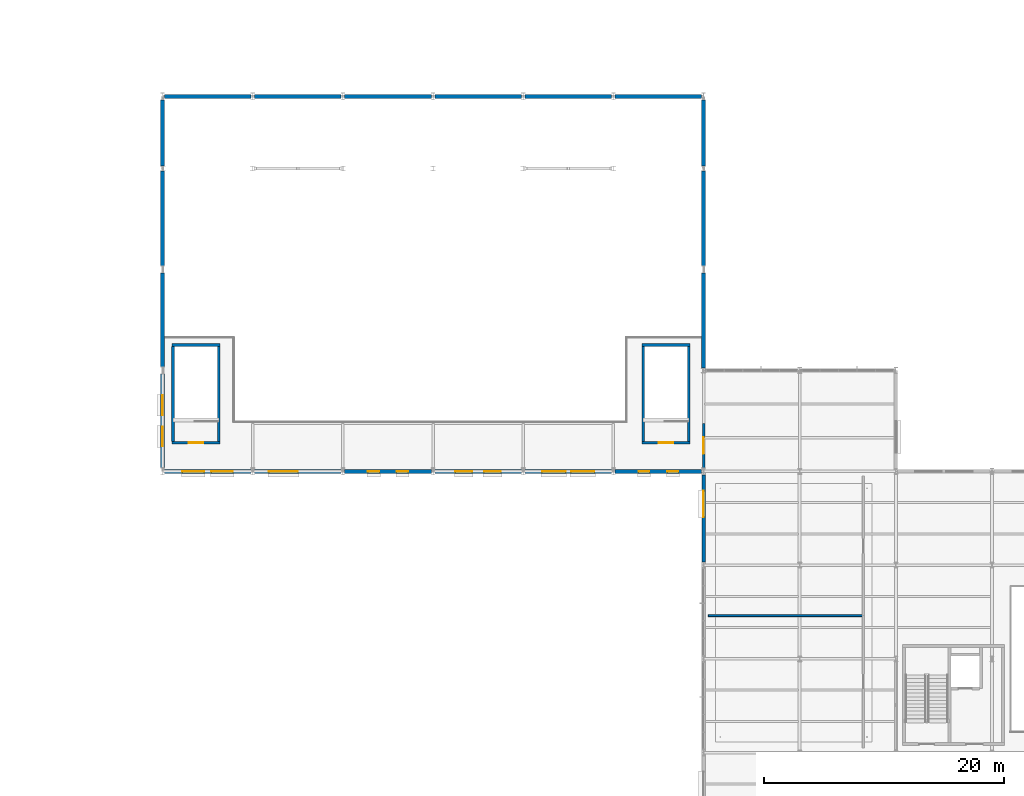
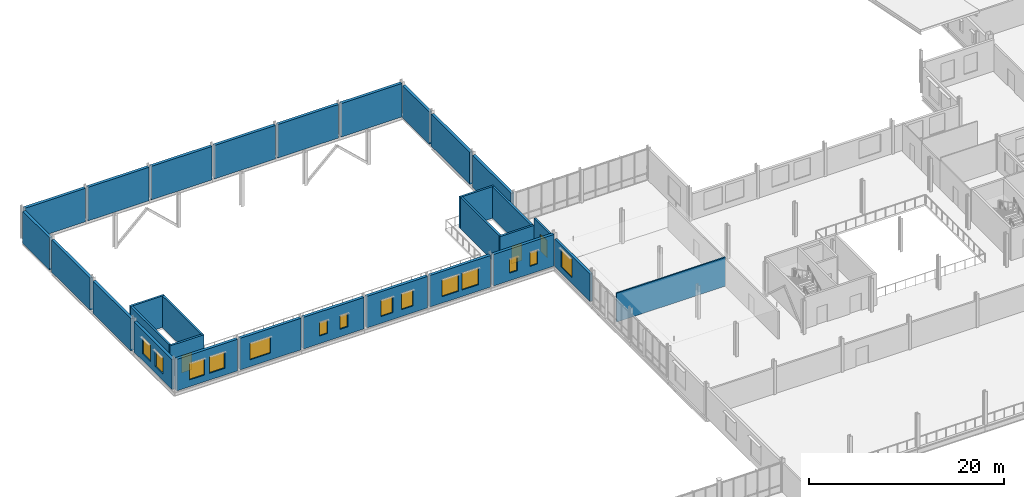
# One storey, part 62 of 75: 30 walls, 14 windows, 3 doors, 17 openings.
"""IFC4 building model written with IfcOpenShell, lengths in metres."""

import ifcopenshell
import ifcopenshell.guid

model = None  # the IFC model being written
_history = None  # IfcOwnerHistory: only IFC2X3 demands one
_inside = {}  # id of a spatial element -> (the spatial element, [elements in it])
_under = {}  # id of a project, library or spatial element -> (it, [spatial elements below it])
_declared = {}  # id of a project -> (the project, [libraries it declares])
_typed = {}  # id of a type object -> (the type object, [elements of that type])
_made_of = {}  # id of a material, layer set ... -> (it, [elements and type objects made of it])


def new_model(schema):
    """Start an empty IFC model of exactly this schema.

    Asked for "IFC4X3", IfcOpenShell would pick the latest addendum, in which some entities
    have other attributes; the version numbers below select the first issue.
    IFC2X3 requires an IfcOwnerHistory on every rooted entity: one is made here for all.
    """
    global model, _history
    if schema == "IFC4X3":
        model = ifcopenshell.file(schema_version=(4, 3, 0, 0))
    else:
        model = ifcopenshell.file(schema=schema)
    _inside.clear()
    _under.clear()
    _declared.clear()
    _typed.clear()
    _made_of.clear()
    _history = None
    if model.schema == "IFC2X3":
        org = make("IfcOrganization", Name="unknown")
        user = make(
            "IfcPersonAndOrganization",
            ThePerson=make("IfcPerson", FamilyName="unknown"),
            TheOrganization=org,
        )
        app = make(
            "IfcApplication",
            ApplicationDeveloper=org,
            Version="unknown",
            ApplicationFullName="unknown",
            ApplicationIdentifier="unknown",
        )
        _history = make(
            "IfcOwnerHistory",
            OwningUser=user,
            OwningApplication=app,
            ChangeAction="ADDED",
            CreationDate=0,
        )
    return model


def make(cls, **values):
    """One entity of the class cls with the attributes given. An attribute that is None is left unset."""
    return model.create_entity(
        cls, **{name: value for name, value in values.items() if value is not None}
    )


def rooted(cls, **values):
    """An entity with a GlobalId (a new one), such as an element, a storey or a relation."""
    return make(cls, GlobalId=ifcopenshell.guid.new(), OwnerHistory=_history, **values)


def si_unit(unit_type, name, prefix=None):
    """IfcSIUnit, for example si_unit("LENGTHUNIT", "METRE", prefix="MILLI")."""
    return make("IfcSIUnit", UnitType=unit_type, Prefix=prefix, Name=name)


def assignment(units):
    """IfcUnitAssignment: the units of a project."""
    return None if units is None else make("IfcUnitAssignment", Units=units)


def point(xyz):
    """IfcCartesianPoint."""
    return None if xyz is None else make("IfcCartesianPoint", Coordinates=xyz)


def direction(xyz):
    """IfcDirection."""
    return None if xyz is None else make("IfcDirection", DirectionRatios=xyz)


def frame(location, z_axis=None, x_axis=None):
    """IfcAxis2Placement3D, a coordinate frame: its origin and axes. An axis left out is left unset."""
    return make(
        "IfcAxis2Placement3D",
        Location=point(location),
        Axis=direction(z_axis),
        RefDirection=direction(x_axis),
    )


def frame_2d(location, x_axis=None):
    """IfcAxis2Placement2D, a coordinate frame in the plane: its origin and x axis."""
    return make(
        "IfcAxis2Placement2D", Location=point(location), RefDirection=direction(x_axis)
    )


def origin():
    """The frame at (0, 0, 0) with its axes left unset."""
    return frame((0.0, 0.0, 0.0))


def place(relative_to, where):
    """IfcLocalPlacement: puts the frame where relative to a parent placement (None: the world)."""
    return make(
        "IfcLocalPlacement", PlacementRelTo=relative_to, RelativePlacement=where
    )


def context(
    kind, dimensions, precision=None, world=None, true_north=None, identifier=None
):
    """IfcGeometricRepresentationContext, for example the 3D "Model" context."""
    return make(
        "IfcGeometricRepresentationContext",
        ContextIdentifier=identifier,
        ContextType=kind,
        CoordinateSpaceDimension=dimensions,
        Precision=precision,
        WorldCoordinateSystem=world,
        TrueNorth=true_north,
    )


def subcontext(parent, identifier, kind, view, scale=None):
    """IfcGeometricRepresentationSubContext, for example "Body" below "Model"."""
    return make(
        "IfcGeometricRepresentationSubContext",
        ContextIdentifier=identifier,
        ContextType=kind,
        ParentContext=parent,
        TargetScale=scale,
        TargetView=view,
    )


def project(units=None, contexts=None):
    """IfcProject with its units and contexts."""
    return rooted(
        "IfcProject",
        Name="project",
        RepresentationContexts=contexts,
        UnitsInContext=assignment(units),
    )


def spatial(cls, under=None, at=None, **own):
    """A site, building, storey or space (cls), placed at a placement, below another one or the project."""
    s = rooted(cls, ObjectPlacement=at, **own)
    if under is not None:
        _under.setdefault(under.id(), (under, []))[1].append(s)
    return s


def profile(cls, at=None, kind="AREA", **sizes):
    """A parametric profile (cls). Its sizes go by their IFC names, for example OverallWidth=200.0."""
    return make(cls, ProfileType=kind, Position=at, **sizes)


def rectangle(**sizes):
    """IfcRectangleProfileDef."""
    return profile("IfcRectangleProfileDef", **sizes)


def extrude(swept, where, along, depth):
    """IfcExtrudedAreaSolid: the profile swept, set in the frame where, extruded along a direction by depth."""
    return make(
        "IfcExtrudedAreaSolid",
        SweptArea=swept,
        Position=where,
        ExtrudedDirection=direction(along),
        Depth=depth,
    )


def shape(context_of_items, identifier, shape_type, items):
    """IfcShapeRepresentation: the items that make up one representation, for example the "Body"."""
    return make(
        "IfcShapeRepresentation",
        ContextOfItems=context_of_items,
        RepresentationIdentifier=identifier,
        RepresentationType=shape_type,
        Items=items,
    )


def material(Name=None, Category=None):
    """IfcMaterial."""
    return make("IfcMaterial", Name=Name, Category=Category)


def layer(
    of_material, thickness, ventilated=None, Name=None, Category=None, Priority=None
):
    """IfcMaterialLayer: one layer of a wall or slab, of a material (None: an air gap)."""
    return make(
        "IfcMaterialLayer",
        Material=of_material,
        LayerThickness=thickness,
        IsVentilated=ventilated,
        Name=Name,
        Category=Category,
        Priority=Priority,
    )


def layer_set(layers, Name=None):
    """IfcMaterialLayerSet."""
    return make("IfcMaterialLayerSet", MaterialLayers=layers, LayerSetName=Name)


def made_of(thing, what):
    """Note that an element or type object is made of a material, layer set ...; save() writes the relation."""
    if what is not None:
        _made_of.setdefault(what.id(), (what, []))[1].append(thing)
    return thing


def type_object(cls, material=None, **own):
    """A type object (cls), such as IfcWallType, which elements share."""
    return made_of(rooted(cls, **own), material)


def element(
    cls,
    number,
    at=None,
    inside=None,
    cuts=None,
    type_object=None,
    material=None,
    context=None,
    identifier="Body",
    shape_type=None,
    held_by="IfcProductDefinitionShape",
    body=None,
    shapes=None,
    **own,
):
    """One element of the class cls, such as IfcWall. Its Tag is "e" and its number.

    at: its placement. inside: the storey or other place that contains it. cuts: it is an
    opening in that element (IfcRelVoidsElement). A single representation is given by context,
    identifier, shape_type and body (its items); several are given by shapes. held_by: the class
    of the entity that holds the representations. save() writes the other relations.
    """
    e = rooted(cls, Tag="e%d" % number, ObjectPlacement=at, **own)
    if body is not None:
        shapes = [shape(context, identifier, shape_type, body)]
    if shapes is not None:
        e.Representation = make(held_by, Representations=shapes)
    if inside is not None:
        _inside.setdefault(inside.id(), (inside, []))[1].append(e)
    if cuts is not None:
        rooted(
            "IfcRelVoidsElement", RelatingBuildingElement=cuts, RelatedOpeningElement=e
        )
    if type_object is not None:
        _typed.setdefault(type_object.id(), (type_object, []))[1].append(e)
    return made_of(e, material)


def fill(opening, filler):
    """IfcRelFillsElement: the door or window that sits in an opening."""
    return rooted(
        "IfcRelFillsElement",
        RelatingOpeningElement=opening,
        RelatedBuildingElement=filler,
    )


def aggregate(whole, parts):
    """IfcRelAggregates: a whole, such as a stair, and the parts it consists of."""
    return rooted("IfcRelAggregates", RelatingObject=whole, RelatedObjects=parts)


def save(model, path):
    """Write the relations noted so far, then the file.

    IfcRelAggregates (storeys below a building ...), IfcRelContainedInSpatialStructure (elements
    in a storey), IfcRelDefinesByType, IfcRelAssociatesMaterial and IfcRelDeclares: one each for
    every whole, place, type object, material and project.
    """
    for whole, parts in _under.values():
        aggregate(whole, parts)
    for where, things in _inside.values():
        rooted(
            "IfcRelContainedInSpatialStructure",
            RelatedElements=things,
            RelatingStructure=where,
        )
    for kind, things in _typed.values():
        rooted("IfcRelDefinesByType", RelatedObjects=things, RelatingType=kind)
    for what, things in _made_of.values():
        rooted("IfcRelAssociatesMaterial", RelatedObjects=things, RelatingMaterial=what)
    for by, libraries in _declared.values():
        rooted("IfcRelDeclares", RelatingContext=by, RelatedDefinitions=libraries)
    model.write(path)


model = new_model("IFC4")

# Units and contexts
model_context = context("Model", 3, precision=1e-05, world=origin(), true_north=direction((0.0, 1.0)))
body_context = subcontext(model_context, "Body", "Model", "MODEL_VIEW")
ifc_project = project(units=[si_unit("LENGTHUNIT", "METRE"), si_unit("AREAUNIT", "SQUARE_METRE"), si_unit("VOLUMEUNIT", "CUBIC_METRE"), si_unit("PLANEANGLEUNIT", "RADIAN"), si_unit("MASSUNIT", "GRAM", prefix="KILO")], contexts=[model_context])

# Site, building, storey
site_placement = place(None, origin())
site = spatial("IfcSite", under=ifc_project, at=site_placement, CompositionType="ELEMENT")
building_placement = place(site_placement, origin())
building = spatial("IfcBuilding", under=site, at=building_placement, Name="Yukiwa Park Conservatory and Herbarium", CompositionType="ELEMENT")
storey_placement = place(building_placement, frame((0.0, 0.0, 4.800048828125)))
storey = spatial("IfcBuildingStorey", under=building, at=storey_placement, Name="L01", CompositionType="ELEMENT", Elevation=4.800048828125)

# Wall, opening, door
ifc_material_1 = material(Name="Concrete C50", Category="concrete")
ifc_layer_1 = layer(ifc_material_1, 0.239990234375)
ifc_layer_set_1 = layer_set([ifc_layer_1], Name="Concrete C50")
wall_type_1 = type_object("IfcWallType", Name="WL-CORE-RC240", PredefinedType="SHEAR", material=ifc_layer_set_1)
wall_1_placement = place(storey_placement, frame((15.760009765625, 80.3798828125, 0.0), z_axis=(0.0, 0.0, 1.0), x_axis=(1.0, 0.0, 0.0)))
wall_1 = element("IfcWall", 1, at=wall_1_placement, inside=storey, type_object=wall_type_1, Name="L01 core shear wall 211", PredefinedType="SHEAR", context=body_context, shape_type="SweptSolid", body=[
    extrude(rectangle(XDim=4.030029296875, YDim=0.239990234375, at=frame_2d((2.01513671875, 0.0))), origin(), (0.0, 0.0, 1.0), 3.954833984375),
])
opening_1_placement = place(wall_1_placement, frame((1.4150390625, 0.0, 0.0)))
opening_1 = element("IfcOpeningElement", 2, at=opening_1_placement, cuts=wall_1, Name="Opening SD-01", PredefinedType="OPENING", context=body_context, shape_type="SweptSolid", body=[
    extrude(rectangle(XDim=1.219970703125, YDim=2.179931640625, at=frame_2d((0.60986328125, 1.08984375))), frame((0.0, 0.1298828125, 0.0), z_axis=(0.0, -1.0, 0.0), x_axis=(1.0, 0.0, 0.0)), (0.0, 0.0, 1.0), 0.260009765625),
])
ifc_material_2 = material(Name="Steel Q235B", Category="steel")
door_type_1 = type_object("IfcDoorType", Name="DR-STAIR-FD90-1200", OperationType="SINGLE_SWING_LEFT", PredefinedType="DOOR", material=ifc_material_2)
door_1_placement = place(opening_1_placement, origin())
door_1 = element("IfcDoor", 3, at=door_1_placement, inside=storey, type_object=door_type_1, Name="L01 Stairwell ST-A1 fire door", OperationType="SINGLE_SWING_LEFT", OverallHeight=2.179931640625, OverallWidth=1.219970703125, PredefinedType="DOOR", context=body_context, shape_type="SweptSolid", body=[
    extrude(rectangle(XDim=1.219970703125, YDim=2.179931640625, at=frame_2d((0.60986328125, 1.08984375))), frame((0.0, 0.02490234375, 0.0), z_axis=(0.0, -1.0, 0.0), x_axis=(1.0, 0.0, 0.0)), (0.0, 0.0, 1.0), 0.050048828125),
])
fill(opening_1, door_1)

# Walls
wall_2_placement = place(storey_placement, frame((15.760009765625, 88.52001953125, 0.0), z_axis=(0.0, 0.0, 1.0), x_axis=(1.0, 0.0, 0.0)))
element("IfcWall", 4, at=wall_2_placement, inside=storey, type_object=wall_type_1, Name="L01 core shear wall 212", PredefinedType="SHEAR", context=body_context, shape_type="SweptSolid", body=[
    extrude(rectangle(XDim=4.030029296875, YDim=0.239990234375, at=frame_2d((2.01513671875, 0.0))), origin(), (0.0, 0.0, 1.0), 3.954833984375),
])
for number, where, z_axis, x_axis, name in (
    (5, (15.8798828125, 80.5, 0.0), (0.0, 0.0, 1.0), (0.0, 1.0, 0.0), "L01 core shear wall 213"),
    (6, (19.669921875, 80.5, 0.0), (0.0, 0.0, 1.0), (0.0, 1.0, 0.0), "L01 core shear wall 214"),
):
    element("IfcWall", number, at=place(storey_placement, frame(where, z_axis=z_axis, x_axis=x_axis)), inside=storey, type_object=wall_type_1, Name=name, PredefinedType="SHEAR", context=body_context, shape_type="SweptSolid", body=[
        extrude(rectangle(XDim=7.89990234375, YDim=0.239990234375, at=frame_2d((3.949951171875, 0.0))), origin(), (0.0, 0.0, 1.0), 3.954833984375),
    ])

# Wall, opening, door
wall_3_placement = place(storey_placement, frame((54.860107421875, 80.3798828125, 0.0), z_axis=(0.0, 0.0, 1.0), x_axis=(1.0, 0.0, 0.0)))
wall_3 = element("IfcWall", 7, at=wall_3_placement, inside=storey, type_object=wall_type_1, Name="L01 core shear wall 215", PredefinedType="SHEAR", context=body_context, shape_type="SweptSolid", body=[
    extrude(rectangle(XDim=4.02978515625, YDim=0.239990234375, at=frame_2d((2.014892578125, 0.0))), origin(), (0.0, 0.0, 1.0), 3.954833984375),
])
opening_2_placement = place(wall_3_placement, frame((1.4150390625, 0.0, 0.0)))
opening_2 = element("IfcOpeningElement", 8, at=opening_2_placement, cuts=wall_3, Name="Opening SD-01", PredefinedType="OPENING", context=body_context, shape_type="SweptSolid", body=[
    extrude(rectangle(XDim=1.219970703125, YDim=2.179931640625, at=frame_2d((0.60986328125, 1.08984375))), frame((0.0, 0.1298828125, 0.0), z_axis=(0.0, -1.0, 0.0), x_axis=(1.0, 0.0, 0.0)), (0.0, 0.0, 1.0), 0.260009765625),
])
door_2_placement = place(opening_2_placement, origin())
door_2 = element("IfcDoor", 9, at=door_2_placement, inside=storey, type_object=door_type_1, Name="L01 Stairwell ST-A2 fire door", OperationType="SINGLE_SWING_LEFT", OverallHeight=2.179931640625, OverallWidth=1.219970703125, PredefinedType="DOOR", context=body_context, shape_type="SweptSolid", body=[
    extrude(rectangle(XDim=1.219970703125, YDim=2.179931640625, at=frame_2d((0.60986328125, 1.08984375))), frame((0.0, 0.02490234375, 0.0), z_axis=(0.0, -1.0, 0.0), x_axis=(1.0, 0.0, 0.0)), (0.0, 0.0, 1.0), 0.050048828125),
])
fill(opening_2, door_2)

# Walls
wall_4_placement = place(storey_placement, frame((54.860107421875, 88.52001953125, 0.0), z_axis=(0.0, 0.0, 1.0), x_axis=(1.0, 0.0, 0.0)))
element("IfcWall", 10, at=wall_4_placement, inside=storey, type_object=wall_type_1, Name="L01 core shear wall 216", PredefinedType="SHEAR", context=body_context, shape_type="SweptSolid", body=[
    extrude(rectangle(XDim=4.02978515625, YDim=0.239990234375, at=frame_2d((2.014892578125, 0.0))), origin(), (0.0, 0.0, 1.0), 3.954833984375),
])
for number, where, z_axis, x_axis, name in (
    (11, (54.97998046875, 80.5, 0.0), (0.0, 0.0, 1.0), (0.0, 1.0, 0.0), "L01 core shear wall 217"),
    (12, (58.77001953125, 80.5, 0.0), (0.0, 0.0, 1.0), (0.0, 1.0, 0.0), "L01 core shear wall 218"),
):
    element("IfcWall", number, at=place(storey_placement, frame(where, z_axis=z_axis, x_axis=x_axis)), inside=storey, type_object=wall_type_1, Name=name, PredefinedType="SHEAR", context=body_context, shape_type="SweptSolid", body=[
        extrude(rectangle(XDim=7.89990234375, YDim=0.239990234375, at=frame_2d((3.949951171875, 0.0))), origin(), (0.0, 0.0, 1.0), 3.954833984375),
    ])
ifc_material_3 = material(Name="Pale Granite Cladding", Category="masonry")
ifc_layer_2 = layer(ifc_material_3, 0.340087890625)
ifc_layer_set_2 = layer_set([ifc_layer_2], Name="Pale Granite Cladding")
wall_type_2 = type_object("IfcWallType", Name="WL-EXT-AUD-340", PredefinedType="SOLIDWALL", material=ifc_layer_set_2)
for number, where, z_axis, x_axis, name in (
    (13, (60.0, 86.60009765625, -0.2451171875), (0.0, 0.0, 1.0), (0.0, 1.0, 0.0), "L01 exterior envelope wall 185"),
    (14, (60.0, 95.093994140625, -0.2451171875), (0.0, 0.0, 1.0), (0.0, 1.0, 0.0), "L01 exterior envelope wall 186"),
):
    element("IfcWall", number, at=place(storey_placement, frame(where, z_axis=z_axis, x_axis=x_axis)), inside=storey, type_object=wall_type_2, Name=name, PredefinedType="SOLIDWALL", context=body_context, shape_type="SweptSolid", body=[
        extrude(rectangle(XDim=7.906005859375, YDim=0.340087890625, at=frame_2d((3.953125, 0.0))), origin(), (0.0, 0.0, 1.0), 4.025146484375),
    ])
wall_5_placement = place(storey_placement, frame((60.0, 103.39990234375, -0.2451171875), z_axis=(0.0, 0.0, 1.0), x_axis=(0.0, 1.0, 0.0)))
element("IfcWall", 15, at=wall_5_placement, inside=storey, type_object=wall_type_2, Name="L01 exterior envelope wall 187", PredefinedType="SOLIDWALL", context=body_context, shape_type="SweptSolid", body=[
    extrude(rectangle(XDim=5.506103515625, YDim=0.340087890625, at=frame_2d((2.7529296875, 0.0))), origin(), (0.0, 0.0, 1.0), 4.025146484375),
])
for number, where, z_axis, x_axis, name in (
    (16, (59.85009765625, 109.199951171875, -0.2451171875), (0.0, 0.0, 1.0), (-1.0, 0.0, 0.0), "L01 exterior envelope wall 188"),
    (17, (52.35009765625, 109.199951171875, -0.2451171875), (0.0, 0.0, 1.0), (-1.0, 0.0, 0.0), "L01 exterior envelope wall 189"),
    (18, (44.85009765625, 109.199951171875, -0.2451171875), (0.0, 0.0, 1.0), (-1.0, 0.0, 0.0), "L01 exterior envelope wall 190"),
    (19, (37.35009765625, 109.199951171875, -0.2451171875), (0.0, 0.0, 1.0), (-1.0, 0.0, 0.0), "L01 exterior envelope wall 191"),
    (20, (29.85009765625, 109.199951171875, -0.2451171875), (0.0, 0.0, 1.0), (-1.0, 0.0, 0.0), "L01 exterior envelope wall 192"),
    (21, (22.35009765625, 109.199951171875, -0.2451171875), (0.0, 0.0, 1.0), (-1.0, 0.0, 0.0), "L01 exterior envelope wall 193"),
):
    element("IfcWall", number, at=place(storey_placement, frame(where, z_axis=z_axis, x_axis=x_axis)), inside=storey, type_object=wall_type_2, Name=name, PredefinedType="SOLIDWALL", context=body_context, shape_type="SweptSolid", body=[
        extrude(rectangle(XDim=7.2001953125, YDim=0.340087890625, at=frame_2d((3.60009765625, 0.0))), origin(), (0.0, 0.0, 1.0), 4.199951171875),
    ])
wall_6_placement = place(storey_placement, frame((15.0, 108.906005859375, -0.2451171875), z_axis=(0.0, 0.0, 1.0), x_axis=(0.0, -1.0, 0.0)))
element("IfcWall", 22, at=wall_6_placement, inside=storey, type_object=wall_type_2, Name="L01 exterior envelope wall 194", PredefinedType="SOLIDWALL", context=body_context, shape_type="SweptSolid", body=[
    extrude(rectangle(XDim=5.506103515625, YDim=0.340087890625, at=frame_2d((2.7529296875, 0.0))), origin(), (0.0, 0.0, 1.0), 4.025146484375),
])
wall_7_placement = place(storey_placement, frame((15.0, 103.0, -0.2451171875), z_axis=(0.0, 0.0, 1.0), x_axis=(0.0, -1.0, 0.0)))
element("IfcWall", 23, at=wall_7_placement, inside=storey, type_object=wall_type_2, Name="L01 exterior envelope wall 195", PredefinedType="SOLIDWALL", context=body_context, shape_type="SweptSolid", body=[
    extrude(rectangle(XDim=7.906005859375, YDim=0.340087890625, at=frame_2d((3.953125, 0.0))), origin(), (0.0, 0.0, 1.0), 4.025146484375),
])
wall_8_placement = place(storey_placement, frame((15.0, 94.506103515625, -0.2451171875), z_axis=(0.0, 0.0, 1.0), x_axis=(0.0, -1.0, 0.0)))
element("IfcWall", 24, at=wall_8_placement, inside=storey, type_object=wall_type_2, Name="L01 exterior envelope wall 196", PredefinedType="SOLIDWALL", context=body_context, shape_type="SweptSolid", body=[
    extrude(rectangle(XDim=7.81201171875, YDim=0.340087890625, at=frame_2d((3.906005859375, 0.0))), origin(), (0.0, 0.0, 1.0), 4.025146484375),
])

# Wall, openings, windows
wall_9_placement = place(storey_placement, frame((15.0, 86.10595703125, 0.0), z_axis=(0.0, 0.0, 1.0), x_axis=(0.0, -1.0, 0.0)))
wall_9 = element("IfcWall", 25, at=wall_9_placement, inside=storey, type_object=wall_type_2, Name="L01 exterior envelope wall 197", PredefinedType="SOLIDWALL", context=body_context, shape_type="SweptSolid", body=[
    extrude(rectangle(XDim=7.81494140625, YDim=0.340087890625, at=frame_2d((3.907470703125, 0.0))), origin(), (0.0, 0.0, 1.0), 3.780029296875),
])
opening_3_placement = place(wall_9_placement, frame((1.780029296875, 0.0, 0.85009765625)))
opening_3 = element("IfcOpeningElement", 26, at=opening_3_placement, cuts=wall_9, Name="Opening W-06", PredefinedType="OPENING", context=body_context, shape_type="SweptSolid", body=[
    extrude(rectangle(XDim=1.64990234375, YDim=2.10009765625, at=frame_2d((0.824951171875, 1.050048828125))), frame((0.0, 0.18017578125, 0.0), z_axis=(0.0, -1.0, 0.0), x_axis=(1.0, 0.0, 0.0)), (0.0, 0.0, 1.0), 0.360107421875),
])
opening_4_placement = place(wall_9_placement, frame((4.385009765625, 0.0, 0.85009765625)))
opening_4 = element("IfcOpeningElement", 27, at=opening_4_placement, cuts=wall_9, Name="Opening W-06", PredefinedType="OPENING", context=body_context, shape_type="SweptSolid", body=[
    extrude(rectangle(XDim=1.64990234375, YDim=2.10009765625, at=frame_2d((0.824951171875, 1.050048828125))), frame((0.0, 0.18017578125, 0.0), z_axis=(0.0, -1.0, 0.0), x_axis=(1.0, 0.0, 0.0)), (0.0, 0.0, 1.0), 0.360107421875),
])
ifc_material_4 = material(Name="Triple Low-E Insulated Glass", Category="glass")
window_type_1 = type_object("IfcWindowType", Name="WN-TW-1650X2100", PartitioningType="SINGLE_PANEL", PredefinedType="WINDOW", material=ifc_material_4)
window_1_placement = place(opening_3_placement, origin())
window_1 = element("IfcWindow", 28, at=window_1_placement, inside=storey, type_object=window_type_1, Name="L01 deep-reveal triple-glazed window 102", OverallHeight=2.10009765625, OverallWidth=1.64990234375, PartitioningType="SINGLE_PANEL", PredefinedType="WINDOW", context=body_context, shape_type="SweptSolid", body=[
    extrude(rectangle(XDim=1.64990234375, YDim=2.10009765625, at=frame_2d((0.824951171875, 1.050048828125))), frame((0.0, 0.030029296875, 0.0), z_axis=(0.0, -1.0, 0.0), x_axis=(1.0, 0.0, 0.0)), (0.0, 0.0, 1.0), 0.06005859375),
])
fill(opening_3, window_1)
window_2_placement = place(opening_4_placement, origin())
window_2 = element("IfcWindow", 29, at=window_2_placement, inside=storey, type_object=window_type_1, Name="L01 deep-reveal triple-glazed window 103", OverallHeight=2.10009765625, OverallWidth=1.64990234375, PartitioningType="SINGLE_PANEL", PredefinedType="WINDOW", context=body_context, shape_type="SweptSolid", body=[
    extrude(rectangle(XDim=1.64990234375, YDim=2.10009765625, at=frame_2d((0.824951171875, 1.050048828125))), frame((0.0, 0.030029296875, 0.0), z_axis=(0.0, -1.0, 0.0), x_axis=(1.0, 0.0, 0.0)), (0.0, 0.0, 1.0), 0.06005859375),
])
fill(opening_4, window_2)

wall_10_placement = place(storey_placement, frame((15.14990234375, 78.0, 0.0), z_axis=(0.0, 0.0, 1.0), x_axis=(1.0, 0.0, 0.0)))
wall_10 = element("IfcWall", 30, at=wall_10_placement, inside=storey, type_object=wall_type_2, Name="L01 exterior envelope wall 198", PredefinedType="SOLIDWALL", context=body_context, shape_type="SweptSolid", body=[
    extrude(rectangle(XDim=7.2001953125, YDim=0.340087890625, at=frame_2d((3.60009765625, 0.0))), origin(), (0.0, 0.0, 1.0), 3.954833984375),
])
opening_5_placement = place(wall_10_placement, frame((1.5, 0.0, 0.85009765625)))
opening_5 = element("IfcOpeningElement", 31, at=opening_5_placement, cuts=wall_10, Name="Opening W-07", PredefinedType="OPENING", context=body_context, shape_type="SweptSolid", body=[
    extrude(rectangle(XDim=1.800048828125, YDim=2.10009765625, at=frame_2d((0.89990234375, 1.050048828125))), frame((0.0, 0.18017578125, 0.0), z_axis=(0.0, -1.0, 0.0), x_axis=(1.0, 0.0, 0.0)), (0.0, 0.0, 1.0), 0.360107421875),
])
opening_6_placement = place(wall_10_placement, frame((3.89990234375, 0.0, 0.85009765625)))
opening_6 = element("IfcOpeningElement", 32, at=opening_6_placement, cuts=wall_10, Name="Opening W-07", PredefinedType="OPENING", context=body_context, shape_type="SweptSolid", body=[
    extrude(rectangle(XDim=1.800048828125, YDim=2.10009765625, at=frame_2d((0.89990234375, 1.050048828125))), frame((0.0, 0.18017578125, 0.0), z_axis=(0.0, -1.0, 0.0), x_axis=(1.0, 0.0, 0.0)), (0.0, 0.0, 1.0), 0.360107421875),
])
ifc_material_5 = material(Name="Triple Low-E Insulated Glass", Category="glass")
window_type_2 = type_object("IfcWindowType", Name="WN-TW-1800X2100", PartitioningType="SINGLE_PANEL", PredefinedType="WINDOW", material=ifc_material_5)
window_3_placement = place(opening_5_placement, origin())
window_3 = element("IfcWindow", 33, at=window_3_placement, inside=storey, type_object=window_type_2, Name="L01 deep-reveal triple-glazed window 104", OverallHeight=2.10009765625, OverallWidth=1.800048828125, PartitioningType="SINGLE_PANEL", PredefinedType="WINDOW", context=body_context, shape_type="SweptSolid", body=[
    extrude(rectangle(XDim=1.800048828125, YDim=2.10009765625, at=frame_2d((0.89990234375, 1.050048828125))), frame((0.0, 0.030029296875, 0.0), z_axis=(0.0, -1.0, 0.0), x_axis=(1.0, 0.0, 0.0)), (0.0, 0.0, 1.0), 0.06005859375),
])
fill(opening_5, window_3)
window_4_placement = place(opening_6_placement, origin())
window_4 = element("IfcWindow", 34, at=window_4_placement, inside=storey, type_object=window_type_2, Name="L01 deep-reveal triple-glazed window 105", OverallHeight=2.10009765625, OverallWidth=1.800048828125, PartitioningType="SINGLE_PANEL", PredefinedType="WINDOW", context=body_context, shape_type="SweptSolid", body=[
    extrude(rectangle(XDim=1.800048828125, YDim=2.10009765625, at=frame_2d((0.89990234375, 1.050048828125))), frame((0.0, 0.030029296875, 0.0), z_axis=(0.0, -1.0, 0.0), x_axis=(1.0, 0.0, 0.0)), (0.0, 0.0, 1.0), 0.06005859375),
])
fill(opening_6, window_4)

# Wall, opening, window
wall_11_placement = place(storey_placement, frame((22.64990234375, 78.0, 0.0), z_axis=(0.0, 0.0, 1.0), x_axis=(1.0, 0.0, 0.0)))
wall_11 = element("IfcWall", 35, at=wall_11_placement, inside=storey, type_object=wall_type_2, Name="L01 exterior envelope wall 199", PredefinedType="SOLIDWALL", context=body_context, shape_type="SweptSolid", body=[
    extrude(rectangle(XDim=7.2001953125, YDim=0.340087890625, at=frame_2d((3.60009765625, 0.0))), origin(), (0.0, 0.0, 1.0), 3.954833984375),
])
opening_7_placement = place(wall_11_placement, frame((1.199951171875, 0.0, 0.85009765625)))
opening_7 = element("IfcOpeningElement", 36, at=opening_7_placement, cuts=wall_11, Name="Opening W-09", PredefinedType="OPENING", context=body_context, shape_type="SweptSolid", body=[
    extrude(rectangle(XDim=2.39990234375, YDim=2.10009765625, at=frame_2d((1.199951171875, 1.050048828125))), frame((0.0, 0.18017578125, 0.0), z_axis=(0.0, -1.0, 0.0), x_axis=(1.0, 0.0, 0.0)), (0.0, 0.0, 1.0), 0.360107421875),
])
ifc_material_6 = material(Name="Triple Low-E Insulated Glass", Category="glass")
window_type_3 = type_object("IfcWindowType", Name="WN-TW-2400X2100", PartitioningType="SINGLE_PANEL", PredefinedType="WINDOW", material=ifc_material_6)
window_5_placement = place(opening_7_placement, origin())
window_5 = element("IfcWindow", 37, at=window_5_placement, inside=storey, type_object=window_type_3, Name="L01 deep-reveal triple-glazed window 106", OverallHeight=2.10009765625, OverallWidth=2.39990234375, PartitioningType="SINGLE_PANEL", PredefinedType="WINDOW", context=body_context, shape_type="SweptSolid", body=[
    extrude(rectangle(XDim=2.39990234375, YDim=2.10009765625, at=frame_2d((1.199951171875, 1.050048828125))), frame((0.0, 0.030029296875, 0.0), z_axis=(0.0, -1.0, 0.0), x_axis=(1.0, 0.0, 0.0)), (0.0, 0.0, 1.0), 0.06005859375),
])
fill(opening_7, window_5)

# Wall, openings, windows
wall_12_placement = place(storey_placement, frame((30.14990234375, 78.0, 0.0), z_axis=(0.0, 0.0, 1.0), x_axis=(1.0, 0.0, 0.0)))
wall_12 = element("IfcWall", 38, at=wall_12_placement, inside=storey, type_object=wall_type_2, Name="L01 exterior envelope wall 200", PredefinedType="SOLIDWALL", context=body_context, shape_type="SweptSolid", body=[
    extrude(rectangle(XDim=7.2001953125, YDim=0.340087890625, at=frame_2d((3.60009765625, 0.0))), origin(), (0.0, 0.0, 1.0), 3.954833984375),
])
opening_8_placement = place(wall_12_placement, frame((1.925048828125, 0.0, 0.949951171875)))
opening_8 = element("IfcOpeningElement", 39, at=opening_8_placement, cuts=wall_12, Name="Opening W-21", PredefinedType="OPENING", context=body_context, shape_type="SweptSolid", body=[
    extrude(rectangle(XDim=0.949951171875, YDim=1.75, at=frame_2d((0.47509765625, 0.875))), frame((0.0, 0.18017578125, 0.0), z_axis=(0.0, -1.0, 0.0), x_axis=(1.0, 0.0, 0.0)), (0.0, 0.0, 1.0), 0.360107421875),
])
opening_9_placement = place(wall_12_placement, frame((4.324951171875, 0.0, 0.949951171875)))
opening_9 = element("IfcOpeningElement", 40, at=opening_9_placement, cuts=wall_12, Name="Opening W-21", PredefinedType="OPENING", context=body_context, shape_type="SweptSolid", body=[
    extrude(rectangle(XDim=0.949951171875, YDim=1.75, at=frame_2d((0.47509765625, 0.875))), frame((0.0, 0.18017578125, 0.0), z_axis=(0.0, -1.0, 0.0), x_axis=(1.0, 0.0, 0.0)), (0.0, 0.0, 1.0), 0.360107421875),
])
ifc_material_7 = material(Name="Triple Low-E Insulated Glass", Category="glass")
window_type_4 = type_object("IfcWindowType", Name="WN-TW-0950X1750", PartitioningType="SINGLE_PANEL", PredefinedType="WINDOW", material=ifc_material_7)
window_6_placement = place(opening_8_placement, origin())
window_6 = element("IfcWindow", 41, at=window_6_placement, inside=storey, type_object=window_type_4, Name="L01 deep-reveal triple-glazed window 107", OverallHeight=1.75, OverallWidth=0.949951171875, PartitioningType="SINGLE_PANEL", PredefinedType="WINDOW", context=body_context, shape_type="SweptSolid", body=[
    extrude(rectangle(XDim=0.949951171875, YDim=1.75, at=frame_2d((0.47509765625, 0.875))), frame((0.0, 0.030029296875, 0.0), z_axis=(0.0, -1.0, 0.0), x_axis=(1.0, 0.0, 0.0)), (0.0, 0.0, 1.0), 0.06005859375),
])
fill(opening_8, window_6)
window_7_placement = place(opening_9_placement, origin())
window_7 = element("IfcWindow", 42, at=window_7_placement, inside=storey, type_object=window_type_4, Name="L01 deep-reveal triple-glazed window 108", OverallHeight=1.75, OverallWidth=0.949951171875, PartitioningType="SINGLE_PANEL", PredefinedType="WINDOW", context=body_context, shape_type="SweptSolid", body=[
    extrude(rectangle(XDim=0.949951171875, YDim=1.75, at=frame_2d((0.47509765625, 0.875))), frame((0.0, 0.030029296875, 0.0), z_axis=(0.0, -1.0, 0.0), x_axis=(1.0, 0.0, 0.0)), (0.0, 0.0, 1.0), 0.06005859375),
])
fill(opening_9, window_7)

wall_13_placement = place(storey_placement, frame((37.64990234375, 78.0, 0.0), z_axis=(0.0, 0.0, 1.0), x_axis=(1.0, 0.0, 0.0)))
wall_13 = element("IfcWall", 43, at=wall_13_placement, inside=storey, type_object=wall_type_2, Name="L01 exterior envelope wall 201", PredefinedType="SOLIDWALL", context=body_context, shape_type="SweptSolid", body=[
    extrude(rectangle(XDim=7.2001953125, YDim=0.340087890625, at=frame_2d((3.60009765625, 0.0))), origin(), (0.0, 0.0, 1.0), 3.954833984375),
])
opening_10_placement = place(wall_13_placement, frame((1.699951171875, 0.0, 0.85009765625)))
opening_10 = element("IfcOpeningElement", 44, at=opening_10_placement, cuts=wall_13, Name="Opening W-23", PredefinedType="OPENING", context=body_context, shape_type="SweptSolid", body=[
    extrude(rectangle(XDim=1.39990234375, YDim=2.050048828125, at=frame_2d((0.699951171875, 1.02490234375))), frame((0.0, 0.18017578125, 0.0), z_axis=(0.0, -1.0, 0.0), x_axis=(1.0, 0.0, 0.0)), (0.0, 0.0, 1.0), 0.360107421875),
])
opening_11_placement = place(wall_13_placement, frame((4.10009765625, 0.0, 0.85009765625)))
opening_11 = element("IfcOpeningElement", 45, at=opening_11_placement, cuts=wall_13, Name="Opening W-23", PredefinedType="OPENING", context=body_context, shape_type="SweptSolid", body=[
    extrude(rectangle(XDim=1.39990234375, YDim=2.050048828125, at=frame_2d((0.699951171875, 1.02490234375))), frame((0.0, 0.18017578125, 0.0), z_axis=(0.0, -1.0, 0.0), x_axis=(1.0, 0.0, 0.0)), (0.0, 0.0, 1.0), 0.360107421875),
])
ifc_material_8 = material(Name="Triple Low-E Insulated Glass", Category="glass")
window_type_5 = type_object("IfcWindowType", Name="WN-TW-1400X2050", PartitioningType="SINGLE_PANEL", PredefinedType="WINDOW", material=ifc_material_8)
window_8_placement = place(opening_10_placement, origin())
window_8 = element("IfcWindow", 46, at=window_8_placement, inside=storey, type_object=window_type_5, Name="L01 deep-reveal triple-glazed window 109", OverallHeight=2.050048828125, OverallWidth=1.39990234375, PartitioningType="SINGLE_PANEL", PredefinedType="WINDOW", context=body_context, shape_type="SweptSolid", body=[
    extrude(rectangle(XDim=1.39990234375, YDim=2.050048828125, at=frame_2d((0.699951171875, 1.02490234375))), frame((0.0, 0.030029296875, 0.0), z_axis=(0.0, -1.0, 0.0), x_axis=(1.0, 0.0, 0.0)), (0.0, 0.0, 1.0), 0.06005859375),
])
fill(opening_10, window_8)
window_9_placement = place(opening_11_placement, origin())
window_9 = element("IfcWindow", 47, at=window_9_placement, inside=storey, type_object=window_type_5, Name="L01 deep-reveal triple-glazed window 110", OverallHeight=2.050048828125, OverallWidth=1.39990234375, PartitioningType="SINGLE_PANEL", PredefinedType="WINDOW", context=body_context, shape_type="SweptSolid", body=[
    extrude(rectangle(XDim=1.39990234375, YDim=2.050048828125, at=frame_2d((0.699951171875, 1.02490234375))), frame((0.0, 0.030029296875, 0.0), z_axis=(0.0, -1.0, 0.0), x_axis=(1.0, 0.0, 0.0)), (0.0, 0.0, 1.0), 0.06005859375),
])
fill(opening_11, window_9)

wall_14_placement = place(storey_placement, frame((45.14990234375, 78.0, 0.0), z_axis=(0.0, 0.0, 1.0), x_axis=(1.0, 0.0, 0.0)))
wall_14 = element("IfcWall", 48, at=wall_14_placement, inside=storey, type_object=wall_type_2, Name="L01 exterior envelope wall 202", PredefinedType="SOLIDWALL", context=body_context, shape_type="SweptSolid", body=[
    extrude(rectangle(XDim=7.2001953125, YDim=0.340087890625, at=frame_2d((3.60009765625, 0.0))), origin(), (0.0, 0.0, 1.0), 3.954833984375),
])
opening_12_placement = place(wall_14_placement, frame((1.425048828125, 0.0, 0.800048828125)))
opening_12 = element("IfcOpeningElement", 49, at=opening_12_placement, cuts=wall_14, Name="Opening W-25", PredefinedType="OPENING", context=body_context, shape_type="SweptSolid", body=[
    extrude(rectangle(XDim=1.949951171875, YDim=2.14990234375, at=frame_2d((0.97509765625, 1.074951171875))), frame((0.0, 0.18017578125, 0.0), z_axis=(0.0, -1.0, 0.0), x_axis=(1.0, 0.0, 0.0)), (0.0, 0.0, 1.0), 0.360107421875),
])
opening_13_placement = place(wall_14_placement, frame((3.824951171875, 0.0, 0.800048828125)))
opening_13 = element("IfcOpeningElement", 50, at=opening_13_placement, cuts=wall_14, Name="Opening W-25", PredefinedType="OPENING", context=body_context, shape_type="SweptSolid", body=[
    extrude(rectangle(XDim=1.949951171875, YDim=2.14990234375, at=frame_2d((0.97509765625, 1.074951171875))), frame((0.0, 0.18017578125, 0.0), z_axis=(0.0, -1.0, 0.0), x_axis=(1.0, 0.0, 0.0)), (0.0, 0.0, 1.0), 0.360107421875),
])
ifc_material_9 = material(Name="Triple Low-E Insulated Glass", Category="glass")
window_type_6 = type_object("IfcWindowType", Name="WN-TW-1950X2150", PartitioningType="SINGLE_PANEL", PredefinedType="WINDOW", material=ifc_material_9)
window_10_placement = place(opening_12_placement, origin())
window_10 = element("IfcWindow", 51, at=window_10_placement, inside=storey, type_object=window_type_6, Name="L01 deep-reveal triple-glazed window 111", OverallHeight=2.14990234375, OverallWidth=1.949951171875, PartitioningType="SINGLE_PANEL", PredefinedType="WINDOW", context=body_context, shape_type="SweptSolid", body=[
    extrude(rectangle(XDim=1.949951171875, YDim=2.14990234375, at=frame_2d((0.97509765625, 1.074951171875))), frame((0.0, 0.030029296875, 0.0), z_axis=(0.0, -1.0, 0.0), x_axis=(1.0, 0.0, 0.0)), (0.0, 0.0, 1.0), 0.06005859375),
])
fill(opening_12, window_10)
window_11_placement = place(opening_13_placement, origin())
window_11 = element("IfcWindow", 52, at=window_11_placement, inside=storey, type_object=window_type_6, Name="L01 deep-reveal triple-glazed window 112", OverallHeight=2.14990234375, OverallWidth=1.949951171875, PartitioningType="SINGLE_PANEL", PredefinedType="WINDOW", context=body_context, shape_type="SweptSolid", body=[
    extrude(rectangle(XDim=1.949951171875, YDim=2.14990234375, at=frame_2d((0.97509765625, 1.074951171875))), frame((0.0, 0.030029296875, 0.0), z_axis=(0.0, -1.0, 0.0), x_axis=(1.0, 0.0, 0.0)), (0.0, 0.0, 1.0), 0.06005859375),
])
fill(opening_13, window_11)

wall_15_placement = place(storey_placement, frame((52.64990234375, 78.0, 0.0), z_axis=(0.0, 0.0, 1.0), x_axis=(1.0, 0.0, 0.0)))
wall_15 = element("IfcWall", 53, at=wall_15_placement, inside=storey, type_object=wall_type_2, Name="L01 exterior envelope wall 203", PredefinedType="SOLIDWALL", context=body_context, shape_type="SweptSolid", body=[
    extrude(rectangle(XDim=7.2001953125, YDim=0.340087890625, at=frame_2d((3.60009765625, 0.0))), origin(), (0.0, 0.0, 1.0), 3.954833984375),
])
opening_14_placement = place(wall_15_placement, frame((1.949951171875, 0.0, 0.949951171875)))
opening_14 = element("IfcOpeningElement", 54, at=opening_14_placement, cuts=wall_15, Name="Opening W-01", PredefinedType="OPENING", context=body_context, shape_type="SweptSolid", body=[
    extrude(rectangle(XDim=0.89990234375, YDim=1.800048828125, at=frame_2d((0.449951171875, 0.89990234375))), frame((0.0, 0.18017578125, 0.0), z_axis=(0.0, -1.0, 0.0), x_axis=(1.0, 0.0, 0.0)), (0.0, 0.0, 1.0), 0.360107421875),
])
opening_15_placement = place(wall_15_placement, frame((4.35009765625, 0.0, 0.949951171875)))
opening_15 = element("IfcOpeningElement", 55, at=opening_15_placement, cuts=wall_15, Name="Opening W-01", PredefinedType="OPENING", context=body_context, shape_type="SweptSolid", body=[
    extrude(rectangle(XDim=0.89990234375, YDim=1.800048828125, at=frame_2d((0.449951171875, 0.89990234375))), frame((0.0, 0.18017578125, 0.0), z_axis=(0.0, -1.0, 0.0), x_axis=(1.0, 0.0, 0.0)), (0.0, 0.0, 1.0), 0.360107421875),
])
ifc_material_10 = material(Name="Triple Low-E Insulated Glass", Category="glass")
window_type_7 = type_object("IfcWindowType", Name="WN-TW-0900X1800", PartitioningType="SINGLE_PANEL", PredefinedType="WINDOW", material=ifc_material_10)
window_12_placement = place(opening_14_placement, origin())
window_12 = element("IfcWindow", 56, at=window_12_placement, inside=storey, type_object=window_type_7, Name="L01 deep-reveal triple-glazed window 113", OverallHeight=1.800048828125, OverallWidth=0.89990234375, PartitioningType="SINGLE_PANEL", PredefinedType="WINDOW", context=body_context, shape_type="SweptSolid", body=[
    extrude(rectangle(XDim=0.89990234375, YDim=1.800048828125, at=frame_2d((0.449951171875, 0.89990234375))), frame((0.0, 0.030029296875, 0.0), z_axis=(0.0, -1.0, 0.0), x_axis=(1.0, 0.0, 0.0)), (0.0, 0.0, 1.0), 0.06005859375),
])
fill(opening_14, window_12)
window_13_placement = place(opening_15_placement, origin())
window_13 = element("IfcWindow", 57, at=window_13_placement, inside=storey, type_object=window_type_7, Name="L01 deep-reveal triple-glazed window 114", OverallHeight=1.800048828125, OverallWidth=0.89990234375, PartitioningType="SINGLE_PANEL", PredefinedType="WINDOW", context=body_context, shape_type="SweptSolid", body=[
    extrude(rectangle(XDim=0.89990234375, YDim=1.800048828125, at=frame_2d((0.449951171875, 0.89990234375))), frame((0.0, 0.030029296875, 0.0), z_axis=(0.0, -1.0, 0.0), x_axis=(1.0, 0.0, 0.0)), (0.0, 0.0, 1.0), 0.06005859375),
])
fill(opening_15, window_13)

# Wall, opening, window
ifc_material_11 = material(Name="Charred Larch Cladding", Category="wood")
ifc_layer_3 = layer(ifc_material_11, 0.2900390625)
ifc_layer_set_3 = layer_set([ifc_layer_3], Name="Charred Larch Cladding")
wall_type_3 = type_object("IfcWallType", Name="WL-EXT-LARCH-290", PredefinedType="SOLIDWALL", material=ifc_layer_set_3)
wall_16_placement = place(storey_placement, frame((60.0, 77.708984375, 0.0), z_axis=(0.0, 0.0, 1.0), x_axis=(0.0, -1.0, 0.0)))
wall_16 = element("IfcWall", 58, at=wall_16_placement, inside=storey, type_object=wall_type_3, Name="L01 exterior envelope wall 204", PredefinedType="SOLIDWALL", context=body_context, shape_type="SweptSolid", body=[
    extrude(rectangle(XDim=7.264892578125, YDim=0.2900390625, at=frame_2d((3.63232421875, 0.0))), origin(), (0.0, 0.0, 1.0), 3.4609375),
])
opening_16_placement = place(wall_16_placement, frame((1.322021484375, 0.0, 0.75)))
opening_16 = element("IfcOpeningElement", 59, at=opening_16_placement, cuts=wall_16, Name="Opening W-13", PredefinedType="OPENING", context=body_context, shape_type="SweptSolid", body=[
    extrude(rectangle(XDim=2.199951171875, YDim=2.39990234375, at=frame_2d((1.10009765625, 1.199951171875))), frame((0.0, 0.155029296875, 0.0), z_axis=(0.0, -1.0, 0.0), x_axis=(1.0, 0.0, 0.0)), (0.0, 0.0, 1.0), 0.31005859375),
])
ifc_material_12 = material(Name="Triple Low-E Insulated Glass", Category="glass")
window_type_8 = type_object("IfcWindowType", Name="WN-VS-2200X2400", PartitioningType="SINGLE_PANEL", PredefinedType="WINDOW", material=ifc_material_12)
window_14_placement = place(opening_16_placement, origin())
window_14 = element("IfcWindow", 60, at=window_14_placement, inside=storey, type_object=window_type_8, Name="L01 deep-reveal triple-glazed window 115", OverallHeight=2.39990234375, OverallWidth=2.199951171875, PartitioningType="SINGLE_PANEL", PredefinedType="WINDOW", context=body_context, shape_type="SweptSolid", body=[
    extrude(rectangle(XDim=2.199951171875, YDim=2.39990234375, at=frame_2d((1.10009765625, 1.199951171875))), frame((0.0, 0.030029296875, 0.0), z_axis=(0.0, -1.0, 0.0), x_axis=(1.0, 0.0, 0.0)), (0.0, 0.0, 1.0), 0.06005859375),
])
fill(opening_16, window_14)

# Wall, opening, door
ifc_material_13 = material(Name="Gypsum Board Partition", Category="gypsum")
ifc_layer_4 = layer(ifc_material_13, 0.199951171875)
ifc_layer_set_4 = layer_set([ifc_layer_4], Name="Gypsum Board Partition")
wall_type_4 = type_object("IfcWallType", Name="WL-PART-FIRE-200", PredefinedType="SOLIDWALL", material=ifc_layer_set_4)
wall_17_placement = place(storey_placement, frame((60.0, 78.300048828125, 0.0), z_axis=(0.0, 0.0, 1.0), x_axis=(0.0, 1.0, 0.0)))
wall_17 = element("IfcWall", 61, at=wall_17_placement, inside=storey, type_object=wall_type_4, Name="L01 interior partition wall 230", PredefinedType="SOLIDWALL", context=body_context, shape_type="SweptSolid", body=[
    extrude(rectangle(XDim=3.699951171875, YDim=0.199951171875, at=frame_2d((1.85009765625, 0.0))), origin(), (0.0, 0.0, 1.0), 3.43994140625),
])
opening_17_placement = place(wall_17_placement, frame((1.14990234375, 0.0, 0.0)))
opening_17 = element("IfcOpeningElement", 62, at=opening_17_placement, cuts=wall_17, Name="Opening FD-06", PredefinedType="OPENING", context=body_context, shape_type="SweptSolid", body=[
    extrude(rectangle(XDim=1.3798828125, YDim=2.14990234375, at=frame_2d((0.68994140625, 1.074951171875))), frame((0.0, 0.10986328125, 0.0), z_axis=(0.0, -1.0, 0.0), x_axis=(1.0, 0.0, 0.0)), (0.0, 0.0, 1.0), 0.219970703125),
])
ifc_material_14 = material(Name="Steel Q235B", Category="steel")
door_type_2 = type_object("IfcDoorType", Name="DR-FIRE-FD60-1400", OperationType="DOUBLE_DOOR_SINGLE_SWING", PredefinedType="DOOR", material=ifc_material_14)
door_3_placement = place(opening_17_placement, frame((1.3798828125, 0.0, 0.0), z_axis=(0.0, 0.0, 1.0), x_axis=(-1.0, 0.0, 0.0)))
door_3 = element("IfcDoor", 63, at=door_3_placement, inside=storey, type_object=door_type_2, Name="L01 Auditorium Balcony fire door", OperationType="DOUBLE_DOOR_SINGLE_SWING", OverallHeight=2.14990234375, OverallWidth=1.3798828125, PredefinedType="DOOR", context=body_context, shape_type="SweptSolid", body=[
    extrude(rectangle(XDim=1.3798828125, YDim=2.14990234375, at=frame_2d((0.68994140625, 1.074951171875))), frame((0.0, 0.02490234375, 0.0), z_axis=(0.0, -1.0, 0.0), x_axis=(1.0, 0.0, 0.0)), (0.0, 0.0, 1.0), 0.050048828125),
])
fill(opening_17, door_3)

# Wall
ifc_material_15 = material(Name="Gypsum Board Partition", Category="gypsum")
ifc_layer_5 = layer(ifc_material_15, 0.159912109375)
ifc_layer_set_5 = layer_set([ifc_layer_5], Name="Gypsum Board Partition")
wall_type_5 = type_object("IfcWallType", Name="WL-PART-GYP-160", PredefinedType="PARTITIONING", material=ifc_layer_set_5)
wall_18_placement = place(storey_placement, frame((60.39990234375, 66.0, 0.0), z_axis=(0.0, 0.0, 1.0), x_axis=(1.0, 0.0, 0.0)))
element("IfcWall", 64, at=wall_18_placement, inside=storey, type_object=wall_type_5, Name="L01 interior partition wall 223", PredefinedType="PARTITIONING", context=body_context, shape_type="SweptSolid", body=[
    extrude(rectangle(XDim=12.900146484375, YDim=0.159912109375, at=frame_2d((6.4501953125, 0.0))), origin(), (0.0, 0.0, 1.0), 3.60498046875),
])

save(model, "model.ifc")
